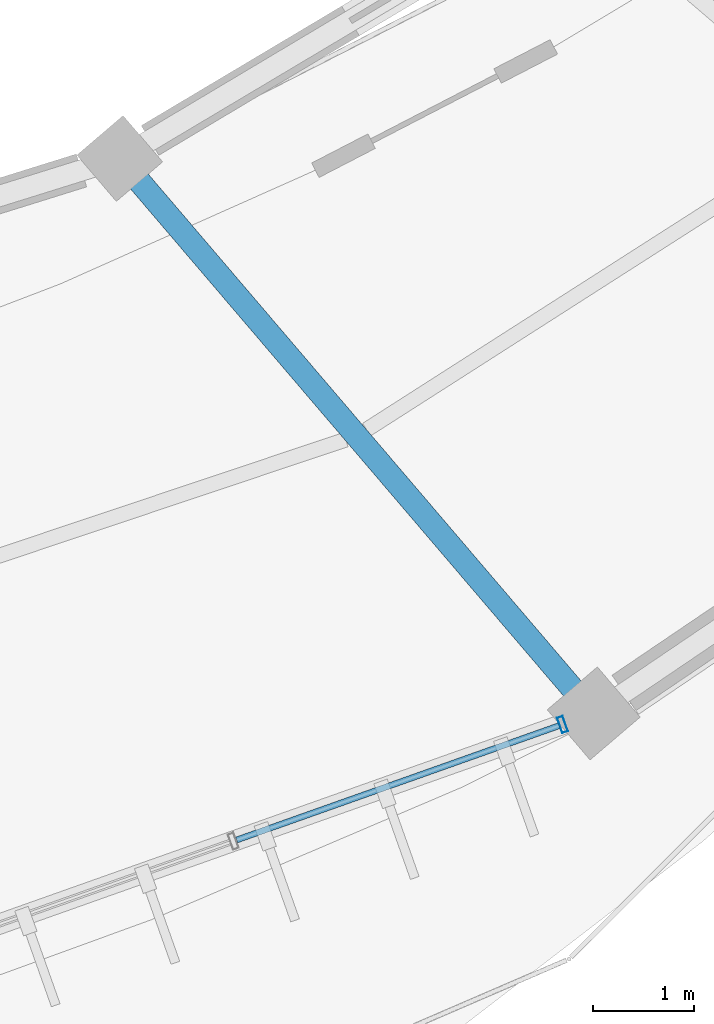
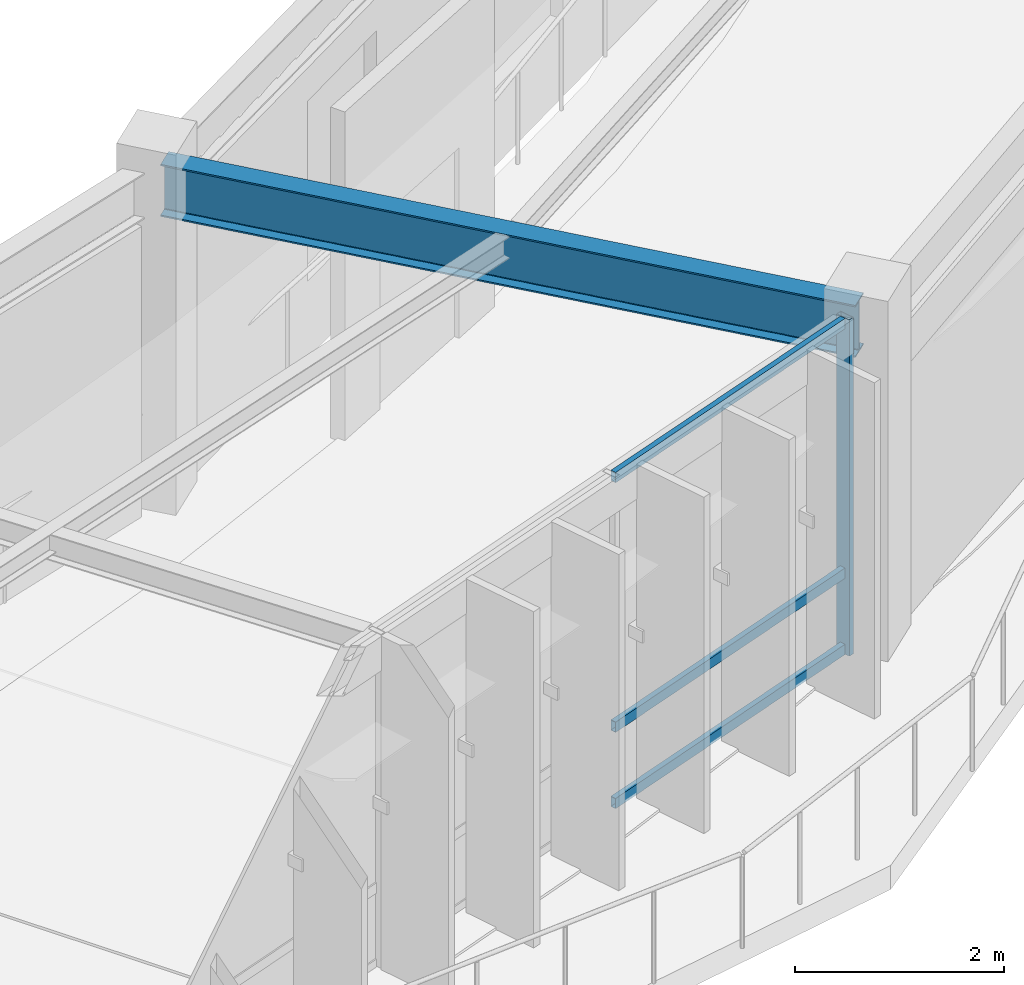
# One storey, part 53 of 114: 4 members, 1 beam, 1 element without a shape of its own.
"""IFC4 building model written with IfcOpenShell, lengths in metres."""

from ifc_helpers import new_model, si_unit, direction, frame, origin, origin_2d, place, context, subcontext, project, spatial, hollow_rectangle, i_section, extrude, material, material_profile, profile_set, type_object, element, aggregate, save


model = new_model("IFC4")

# Units and contexts
model_context = context("Model", 3, precision=1e-05, world=origin(), true_north=direction((0.0, 1.0)))
body_context = subcontext(model_context, "Body", "Model", "MODEL_VIEW")
ifc_project = project(units=[si_unit("LENGTHUNIT", "METRE"), si_unit("AREAUNIT", "SQUARE_METRE"), si_unit("VOLUMEUNIT", "CUBIC_METRE"), si_unit("PLANEANGLEUNIT", "RADIAN"), si_unit("MASSUNIT", "GRAM", prefix="KILO"), si_unit("THERMODYNAMICTEMPERATUREUNIT", "KELVIN"), si_unit("POWERUNIT", "WATT")], contexts=[model_context])

# Site, building, storey
site_placement = place(None, origin())
site = spatial("IfcSite", under=ifc_project, at=site_placement, CompositionType="ELEMENT")
building_placement = place(site_placement, origin())
building = spatial("IfcBuilding", under=site, at=building_placement, Name="Darbajah Civic Hall", CompositionType="ELEMENT")
storey_placement = place(building_placement, frame((0.0, 0.0, 13.800048828125)))
storey = spatial("IfcBuildingStorey", under=building, at=storey_placement, Name="L03", CompositionType="ELEMENT", Elevation=13.800048828125)

# Curtain wall, members
ifc_material_1 = material(Name="Anodised Bronze Aluminium and Low-E Glazing", Category="aluminium")
curtain_wall_type = type_object("IfcCurtainWallType", Name="Unitised Curtain Wall CW-62 13800x3900", PredefinedType="USERDEFINED", material=ifc_material_1)
curtain_wall_placement = place(storey_placement, origin())
curtain_wall = element("IfcCurtainWall", 1, at=curtain_wall_placement, inside=storey, type_object=curtain_wall_type, Name="L03 unitised curtain wall CW-V1O-L03-16", ObjectType="UNITISED CURTAIN WALL", PredefinedType="USERDEFINED")
ifc_material_2 = material(Name="Anodised Bronze Aluminium", Category="aluminium")
ifc_material_profile_1 = material_profile(ifc_material_2, hollow_rectangle(XDim=0.06005859375, YDim=0.159912109375, WallThickness=0.00341796875, at=origin_2d()), Name="ALU MULLION 60x160")
ifc_profile_set_1 = profile_set([ifc_material_profile_1], Name="Anodised Bronze Aluminium")
member_type_1 = type_object("IfcMemberType", Name="ALU MULLION 60x160", PredefinedType="MULLION", material=ifc_profile_set_1)
member_1_placement = place(storey_placement, frame((121.913818359375, 67.2587890625, 0.0), z_axis=(0.0, 0.0, 1.0), x_axis=(0.94252491309, 0.334135882844, 0.0)))
member_1 = element("IfcMember", 2, at=member_1_placement, type_object=member_type_1, Name="CW-V1O-L03-16 mullion 5", PredefinedType="MULLION", context=body_context, shape_type="SweptSolid", body=[
    extrude(hollow_rectangle(XDim=0.06005859375, YDim=0.159912109375, WallThickness=0.00341796875, at=origin_2d()), origin(), (0.0, 0.0, 1.0), 3.919921875),
])
ifc_material_profile_2 = material_profile(ifc_material_2, hollow_rectangle(XDim=0.06005859375, YDim=0.1201171875, WallThickness=0.003173828125, at=origin_2d()), Name="ALU TRANSOM 60x120")
ifc_profile_set_2 = profile_set([ifc_material_profile_2], Name="Anodised Bronze Aluminium")
member_type_2 = type_object("IfcMemberType", Name="ALU TRANSOM 60x120", PredefinedType="USERDEFINED", material=ifc_profile_set_2)
member_2_placement = place(storey_placement, frame((118.699462890625, 66.119384765625, 0.06005859375), z_axis=(0.942531389956, 0.334117612449, 0.0), x_axis=(-0.334117612449, 0.942531389956, 0.0)))
member_2 = element("IfcMember", 3, at=member_2_placement, type_object=member_type_2, Name="CW-V1O-L03-16 transom 4.1", ObjectType="TRANSOM", PredefinedType="USERDEFINED", context=body_context, shape_type="SweptSolid", body=[
    extrude(hollow_rectangle(XDim=0.06005859375, YDim=0.1201171875, WallThickness=0.003173828125, at=origin_2d()), origin(), (0.0, 0.0, 1.0), 3.375),
])
member_3_placement = place(storey_placement, frame((118.699462890625, 66.119384765625, 0.949951171875), z_axis=(0.942531389956, 0.334117612449, 0.0), x_axis=(-0.334117612449, 0.942531389956, 0.0)))
member_3 = element("IfcMember", 4, at=member_3_placement, type_object=member_type_2, Name="CW-V1O-L03-16 transom 4.2", ObjectType="TRANSOM", PredefinedType="USERDEFINED", context=body_context, shape_type="SweptSolid", body=[
    extrude(hollow_rectangle(XDim=0.06005859375, YDim=0.1201171875, WallThickness=0.003173828125, at=origin_2d()), origin(), (0.0, 0.0, 1.0), 3.375),
])
member_4_placement = place(storey_placement, frame((118.699462890625, 66.119384765625, 3.85986328125), z_axis=(0.942531389956, 0.334117612449, 0.0), x_axis=(-0.334117612449, 0.942531389956, 0.0)))
member_4 = element("IfcMember", 5, at=member_4_placement, type_object=member_type_2, Name="CW-V1O-L03-16 transom 4.3", ObjectType="TRANSOM", PredefinedType="USERDEFINED", context=body_context, shape_type="SweptSolid", body=[
    extrude(hollow_rectangle(XDim=0.06005859375, YDim=0.1201171875, WallThickness=0.003173828125, at=origin_2d()), origin(), (0.0, 0.0, 1.0), 3.375),
])
aggregate(curtain_wall, [member_1, member_2, member_3, member_4])

# Beam
ifc_material_3 = material(Name="Steel S355JR", Category="steel")
ifc_material_profile_3 = material_profile(ifc_material_3, i_section(OverallWidth=0.228271484375, OverallDepth=0.607666015625, WebThickness=0.010986328125, FlangeThickness=0.017333984375, FilletRadius=0.0126953125, at=origin_2d()), Name="UB 610x229x113")
ifc_profile_set_3 = profile_set([ifc_material_profile_3], Name="Steel S355JR")
beam_type = type_object("IfcBeamType", Name="UB 610x229x113", PredefinedType="BEAM", material=ifc_profile_set_3)
beam_placement = place(storey_placement, frame((117.597900390625, 72.781982421875, 3.6162109375), z_axis=(0.649439482197, -0.760413281686, 0.0), x_axis=(0.760413281686, 0.649439482197, 0.0)))
element("IfcBeam", 6, at=beam_placement, inside=storey, type_object=beam_type, Name="L03 beam SB-610", PredefinedType="BEAM", context=body_context, shape_type="SweptSolid", body=[
    extrude(i_section(OverallWidth=0.228271484375, OverallDepth=0.607666015625, WebThickness=0.010986328125, FlangeThickness=0.017333984375, FilletRadius=0.0126953125, at=origin_2d()), origin(), (0.0, 0.0, 1.0), 7.0400390625),
])

save(model, "model.ifc")
